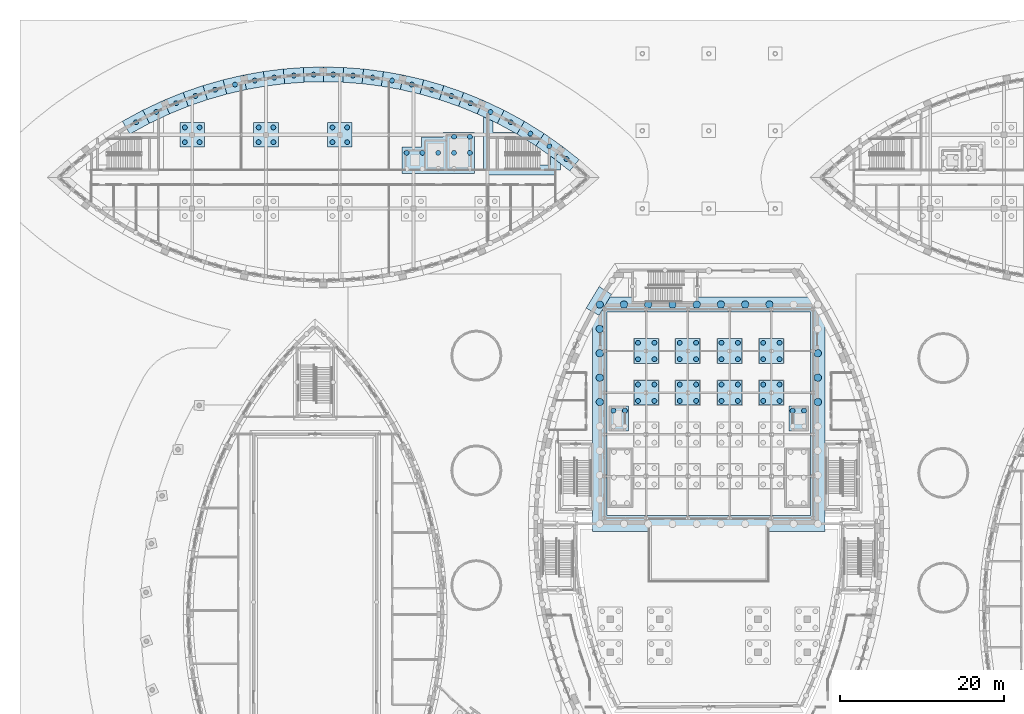
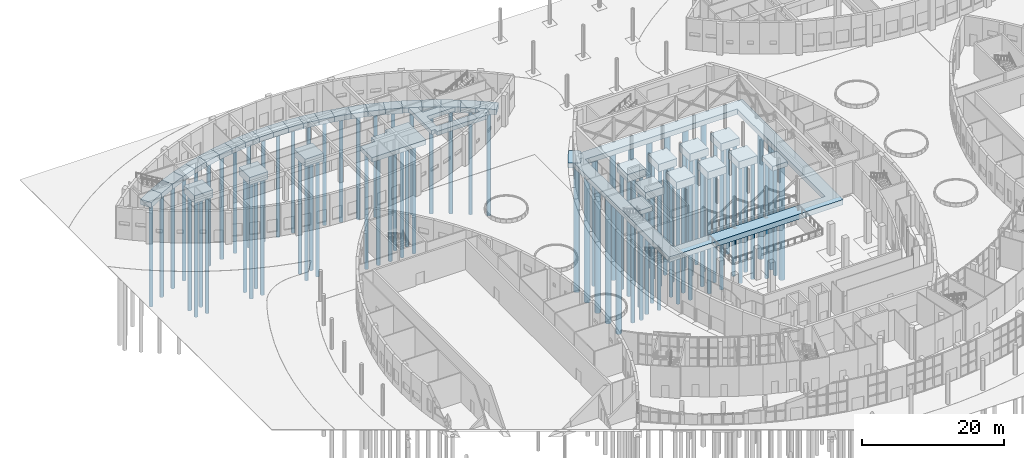
# One storey, part 7 of 82: 93 piles, 40 footings.
"""IFC4 building model written with IfcOpenShell, lengths in metres."""

from ifc_helpers import new_model, si_unit, direction, frame, origin, origin_2d, place, context, subcontext, project, spatial, polyline, rectangle, circle, outline, extrude, material, material_profile, profile_set, type_object, element, save


model = new_model("IFC4")

# Units and contexts
model_context = context("Model", 3, precision=1e-05, world=origin(), true_north=direction((0.0, 1.0)))
body_context = subcontext(model_context, "Body", "Model", "MODEL_VIEW")
ifc_project = project(units=[si_unit("LENGTHUNIT", "METRE"), si_unit("AREAUNIT", "SQUARE_METRE"), si_unit("VOLUMEUNIT", "CUBIC_METRE"), si_unit("PLANEANGLEUNIT", "RADIAN"), si_unit("MASSUNIT", "GRAM", prefix="KILO")], contexts=[model_context])

# Site, building, storey
site_placement = place(None, origin())
site = spatial("IfcSite", under=ifc_project, at=site_placement, CompositionType="ELEMENT")
building_placement = place(site_placement, origin())
building = spatial("IfcBuilding", under=site, at=building_placement, Name="Tide Square Theatres", CompositionType="ELEMENT")
storey_placement = place(building_placement, origin())
storey = spatial("IfcBuildingStorey", under=building, at=storey_placement, Name="L00", CompositionType="ELEMENT", Elevation=0.0)

# Piles
ifc_material_1 = material(Name="Concrete C30", Category="concrete")
ifc_material_profile_1 = material_profile(ifc_material_1, circle(Radius=0.300048828125, at=origin_2d()))
ifc_profile_set_1 = profile_set([ifc_material_profile_1], Name="Concrete C30")
pile_type_1 = type_object("IfcPileType", Name="Bored pile D600", PredefinedType="BORED", material=ifc_profile_set_1)
for number, where, z_axis, x_axis, name in (
    (1, (75.365478515625, 70.544921875, -1.14990234375), (0.0, 0.0, -1.0), (1.0, 0.0, 0.0), "Bored pile"),
    (2, (77.365478515625, 70.544921875, -1.14990234375), (0.0, 0.0, -1.0), (1.0, 0.0, 0.0), "Bored pile"),
    (3, (77.365478515625, 72.544921875, -1.14990234375), (0.0, 0.0, -1.0), (1.0, 0.0, 0.0), "Bored pile"),
    (4, (75.365478515625, 72.544921875, -1.14990234375), (0.0, 0.0, -1.0), (1.0, 0.0, 0.0), "Bored pile"),
    (5, (75.365478515625, 75.634521484375, -1.14990234375), (0.0, 0.0, -1.0), (1.0, 0.0, 0.0), "Bored pile"),
    (6, (77.365478515625, 75.634521484375, -1.14990234375), (0.0, 0.0, -1.0), (1.0, 0.0, 0.0), "Bored pile"),
    (7, (77.365478515625, 77.634521484375, -1.14990234375), (0.0, 0.0, -1.0), (1.0, 0.0, 0.0), "Bored pile"),
    (8, (75.365478515625, 77.634521484375, -1.14990234375), (0.0, 0.0, -1.0), (1.0, 0.0, 0.0), "Bored pile"),
    (9, (80.455078125, 70.544921875, -1.14990234375), (0.0, 0.0, -1.0), (1.0, 0.0, 0.0), "Bored pile"),
    (10, (82.455078125, 70.544921875, -1.14990234375), (0.0, 0.0, -1.0), (1.0, 0.0, 0.0), "Bored pile"),
    (11, (82.455078125, 72.544921875, -1.14990234375), (0.0, 0.0, -1.0), (1.0, 0.0, 0.0), "Bored pile"),
    (12, (80.455078125, 72.544921875, -1.14990234375), (0.0, 0.0, -1.0), (1.0, 0.0, 0.0), "Bored pile"),
    (13, (80.455078125, 75.634521484375, -1.14990234375), (0.0, 0.0, -1.0), (1.0, 0.0, 0.0), "Bored pile"),
    (14, (82.455078125, 75.634521484375, -1.14990234375), (0.0, 0.0, -1.0), (1.0, 0.0, 0.0), "Bored pile"),
    (15, (82.455078125, 77.634521484375, -1.14990234375), (0.0, 0.0, -1.0), (1.0, 0.0, 0.0), "Bored pile"),
    (16, (80.455078125, 77.634521484375, -1.14990234375), (0.0, 0.0, -1.0), (1.0, 0.0, 0.0), "Bored pile"),
    (17, (85.544921875, 70.544921875, -1.14990234375), (0.0, 0.0, -1.0), (1.0, 0.0, 0.0), "Bored pile"),
    (18, (87.544921875, 70.544921875, -1.14990234375), (0.0, 0.0, -1.0), (1.0, 0.0, 0.0), "Bored pile"),
    (19, (87.544921875, 72.544921875, -1.14990234375), (0.0, 0.0, -1.0), (1.0, 0.0, 0.0), "Bored pile"),
    (20, (85.544921875, 72.544921875, -1.14990234375), (0.0, 0.0, -1.0), (1.0, 0.0, 0.0), "Bored pile"),
    (21, (85.544921875, 75.634521484375, -1.14990234375), (0.0, 0.0, -1.0), (1.0, 0.0, 0.0), "Bored pile"),
    (22, (87.544921875, 75.634521484375, -1.14990234375), (0.0, 0.0, -1.0), (1.0, 0.0, 0.0), "Bored pile"),
    (23, (87.544921875, 77.634521484375, -1.14990234375), (0.0, 0.0, -1.0), (1.0, 0.0, 0.0), "Bored pile"),
    (24, (85.544921875, 77.634521484375, -1.14990234375), (0.0, 0.0, -1.0), (1.0, 0.0, 0.0), "Bored pile"),
    (25, (90.634521484375, 70.544921875, -1.14990234375), (0.0, 0.0, -1.0), (1.0, 0.0, 0.0), "Bored pile"),
    (26, (92.634521484375, 70.544921875, -1.14990234375), (0.0, 0.0, -1.0), (1.0, 0.0, 0.0), "Bored pile"),
    (27, (92.634521484375, 72.544921875, -1.14990234375), (0.0, 0.0, -1.0), (1.0, 0.0, 0.0), "Bored pile"),
    (28, (90.634521484375, 72.544921875, -1.14990234375), (0.0, 0.0, -1.0), (1.0, 0.0, 0.0), "Bored pile"),
    (29, (90.634521484375, 75.634521484375, -1.14990234375), (0.0, 0.0, -1.0), (1.0, 0.0, 0.0), "Bored pile"),
    (30, (92.634521484375, 75.634521484375, -1.14990234375), (0.0, 0.0, -1.0), (1.0, 0.0, 0.0), "Bored pile"),
    (31, (92.634521484375, 77.634521484375, -1.14990234375), (0.0, 0.0, -1.0), (1.0, 0.0, 0.0), "Bored pile"),
    (32, (90.634521484375, 77.634521484375, -1.14990234375), (0.0, 0.0, -1.0), (1.0, 0.0, 0.0), "Bored pile"),
    (33, (73.77587890625, 69.35009765625, -0.85009765625), (0.0, 0.0, -1.0), (1.0, 0.0, 0.0), "Fly Tower lift pit pile 11.3"),
    (34, (72.3759765625, 69.35009765625, -0.85009765625), (0.0, 0.0, -1.0), (1.0, 0.0, 0.0), "Fly Tower lift pit pile 11.4"),
    (35, (95.6240234375, 69.35009765625, -0.85009765625), (0.0, 0.0, -1.0), (1.0, 0.0, 0.0), "Fly Tower lift pit pile 12.3"),
    (36, (94.22412109375, 69.35009765625, -0.85009765625), (0.0, 0.0, -1.0), (1.0, 0.0, 0.0), "Fly Tower lift pit pile 12.4"),
):
    element("IfcPile", number, at=place(storey_placement, frame(where, z_axis=z_axis, x_axis=x_axis)), inside=storey, type_object=pile_type_1, Name=name, PredefinedType="BORED", context=body_context, shape_type="SweptSolid", body=[
        extrude(circle(Radius=0.300048828125, at=origin_2d()), origin(), (0.0, 0.0, 1.0), 20.14990234375),
    ])
for number, where, z_axis, x_axis, name in (
    (37, (66.646484375, 100.044189453125, -1.0), (0.0, 0.0, -1.0), (1.0, 0.0, 0.0), "Scenery Workshops wall pile 30"),
    (38, (64.547607421875, 101.607666015625, -1.0), (0.0, 0.0, -1.0), (1.0, 0.0, 0.0), "Scenery Workshops wall pile 31"),
    (39, (62.238525390625, 103.138916015625, -1.0), (0.0, 0.0, -1.0), (1.0, 0.0, 0.0), "Scenery Workshops wall pile 32"),
    (40, (59.844482421875, 104.533447265625, -1.0), (0.0, 0.0, -1.0), (1.0, 0.0, 0.0), "Scenery Workshops wall pile 33"),
    (41, (57.37353515625, 105.787109375, -1.0), (0.0, 0.0, -1.0), (1.0, 0.0, 0.0), "Scenery Workshops wall pile 34"),
    (42, (54.956298828125, 106.85009765625, -1.0), (0.0, 0.0, -1.0), (1.0, 0.0, 0.0), "Scenery Workshops wall pile 35"),
    (43, (52.606201171875, 107.73193359375, -1.0), (0.0, 0.0, -1.0), (1.0, 0.0, 0.0), "Scenery Workshops wall pile 36"),
    (44, (50.212890625, 108.489013671875, -1.0), (0.0, 0.0, -1.0), (1.0, 0.0, 0.0), "Scenery Workshops wall pile 37"),
    (45, (47.783203125, 109.11962890625, -1.0), (0.0, 0.0, -1.0), (1.0, 0.0, 0.0), "Scenery Workshops wall pile 38"),
    (46, (45.37548828125, 109.61376953125, -1.0), (0.0, 0.0, -1.0), (1.0, 0.0, 0.0), "Scenery Workshops wall pile 39"),
    (47, (42.997802734375, 109.9755859375, -1.0), (0.0, 0.0, -1.0), (1.0, 0.0, 0.0), "Scenery Workshops wall pile 40"),
    (48, (40.604736328125, 110.21728515625, -1.0), (0.0, 0.0, -1.0), (1.0, 0.0, 0.0), "Scenery Workshops wall pile 41"),
    (49, (38.20263671875, 110.33837890625, -1.0), (0.0, 0.0, -1.0), (1.0, 0.0, 0.0), "Scenery Workshops wall pile 42"),
    (50, (35.79736328125, 110.33837890625, -1.0), (0.0, 0.0, -1.0), (1.0, 0.0, 0.0), "Scenery Workshops wall pile 43"),
    (51, (33.395263671875, 110.21728515625, -1.0), (0.0, 0.0, -1.0), (1.0, 0.0, 0.0), "Scenery Workshops wall pile 44"),
    (52, (31.002197265625, 109.9755859375, -1.0), (0.0, 0.0, -1.0), (1.0, 0.0, 0.0), "Scenery Workshops wall pile 45"),
    (53, (28.62451171875, 109.61376953125, -1.0), (0.0, 0.0, -1.0), (1.0, 0.0, 0.0), "Scenery Workshops wall pile 46"),
    (54, (26.216796875, 109.11962890625, -1.0), (0.0, 0.0, -1.0), (1.0, 0.0, 0.0), "Scenery Workshops wall pile 47"),
    (55, (23.787109375, 108.489013671875, -1.0), (0.0, 0.0, -1.0), (1.0, 0.0, 0.0), "Scenery Workshops wall pile 48"),
    (56, (21.393798828125, 107.73193359375, -1.0), (0.0, 0.0, -1.0), (1.0, 0.0, 0.0), "Scenery Workshops wall pile 49"),
    (57, (19.043701171875, 106.85009765625, -1.0), (0.0, 0.0, -1.0), (1.0, 0.0, 0.0), "Scenery Workshops wall pile 50"),
    (58, (16.62646484375, 105.787109375, -1.0), (0.0, 0.0, -1.0), (1.0, 0.0, 0.0), "Scenery Workshops wall pile 51"),
    (59, (14.155517578125, 104.533447265625, -1.0), (0.0, 0.0, -1.0), (1.0, 0.0, 0.0), "Scenery Workshops wall pile 52"),
):
    element("IfcPile", number, at=place(storey_placement, frame(where, z_axis=z_axis, x_axis=x_axis)), inside=storey, type_object=pile_type_1, Name=name, PredefinedType="BORED", context=body_context, shape_type="SweptSolid", body=[
        extrude(circle(Radius=0.300048828125, at=origin_2d()), origin(), (0.0, 0.0, 1.0), 18.14990234375),
    ])
for number, where, z_axis, x_axis, name in (
    (60, (20.10009765625, 102.10009765625, -1.39990234375), (0.0, 0.0, -1.0), (1.0, 0.0, 0.0), "Scenery Workshops column pile 2.1"),
    (61, (21.89990234375, 102.10009765625, -1.39990234375), (0.0, 0.0, -1.0), (1.0, 0.0, 0.0), "Scenery Workshops column pile 2.2"),
    (62, (21.89990234375, 103.89990234375, -1.39990234375), (0.0, 0.0, -1.0), (1.0, 0.0, 0.0), "Scenery Workshops column pile 2.3"),
    (63, (20.10009765625, 103.89990234375, -1.39990234375), (0.0, 0.0, -1.0), (1.0, 0.0, 0.0), "Scenery Workshops column pile 2.4"),
    (64, (29.10009765625, 102.10009765625, -1.39990234375), (0.0, 0.0, -1.0), (1.0, 0.0, 0.0), "Scenery Workshops column pile 4.1"),
    (65, (30.89990234375, 102.10009765625, -1.39990234375), (0.0, 0.0, -1.0), (1.0, 0.0, 0.0), "Scenery Workshops column pile 4.2"),
    (66, (30.89990234375, 103.89990234375, -1.39990234375), (0.0, 0.0, -1.0), (1.0, 0.0, 0.0), "Scenery Workshops column pile 4.3"),
    (67, (29.10009765625, 103.89990234375, -1.39990234375), (0.0, 0.0, -1.0), (1.0, 0.0, 0.0), "Scenery Workshops column pile 4.4"),
    (68, (38.10009765625, 102.10009765625, -1.39990234375), (0.0, 0.0, -1.0), (1.0, 0.0, 0.0), "Scenery Workshops column pile 6.1"),
    (69, (39.89990234375, 102.10009765625, -1.39990234375), (0.0, 0.0, -1.0), (1.0, 0.0, 0.0), "Scenery Workshops column pile 6.2"),
    (70, (39.89990234375, 103.89990234375, -1.39990234375), (0.0, 0.0, -1.0), (1.0, 0.0, 0.0), "Scenery Workshops column pile 6.3"),
    (71, (38.10009765625, 103.89990234375, -1.39990234375), (0.0, 0.0, -1.0), (1.0, 0.0, 0.0), "Scenery Workshops column pile 6.4"),
    (72, (47.139892578125, 100.800048828125, -1.85009765625), (0.0, 0.0, -1.0), (1.0, 0.0, 0.0), "Scenery Workshops lift pit pile 1.2"),
    (73, (49.070068359375, 100.800048828125, -1.85009765625), (0.0, 0.0, -1.0), (1.0, 0.0, 0.0), "Scenery Workshops lift pit pile 1.4"),
    (74, (51.0, 100.800048828125, -1.85009765625), (0.0, 0.0, -1.0), (1.0, 0.0, 0.0), "Scenery Workshops lift pit pile 1.6"),
    (75, (52.929931640625, 100.800048828125, -1.85009765625), (0.0, 0.0, -1.0), (1.0, 0.0, 0.0), "Scenery Workshops lift pit pile 1.8"),
    (76, (52.929931640625, 102.760009765625, -1.85009765625), (0.0, 0.0, -1.0), (1.0, 0.0, 0.0), "Scenery Workshops lift pit pile 1.9"),
    (77, (54.860107421875, 100.800048828125, -1.85009765625), (0.0, 0.0, -1.0), (1.0, 0.0, 0.0), "Scenery Workshops lift pit pile 1.11"),
    (78, (54.860107421875, 102.760009765625, -1.85009765625), (0.0, 0.0, -1.0), (1.0, 0.0, 0.0), "Scenery Workshops lift pit pile 1.12"),
):
    element("IfcPile", number, at=place(storey_placement, frame(where, z_axis=z_axis, x_axis=x_axis)), inside=storey, type_object=pile_type_1, Name=name, PredefinedType="BORED", context=body_context, shape_type="SweptSolid", body=[
        extrude(circle(Radius=0.300048828125, at=origin_2d()), origin(), (0.0, 0.0, 1.0), 20.14990234375),
    ])
ifc_material_2 = material(Name="Concrete C30", Category="concrete")
ifc_material_profile_2 = material_profile(ifc_material_2, circle(Radius=0.449951171875, at=origin_2d()))
ifc_profile_set_2 = profile_set([ifc_material_profile_2], Name="Concrete C30")
pile_type_2 = type_object("IfcPileType", Name="Bored pile D900", PredefinedType="BORED", material=ifc_profile_set_2)
for number, where, z_axis, x_axis, name in (
    (79, (70.699951171875, 82.300048828125, -0.75), (0.0, 0.0, -1.0), (1.0, 0.0, 0.0), "Bored pile"),
    (80, (73.655517578125, 82.300048828125, -0.75), (0.0, 0.0, -1.0), (1.0, 0.0, 0.0), "Bored pile"),
    (81, (76.611083984375, 82.300048828125, -0.75), (0.0, 0.0, -1.0), (1.0, 0.0, 0.0), "Bored pile"),
    (82, (79.566650390625, 82.300048828125, -0.75), (0.0, 0.0, -1.0), (1.0, 0.0, 0.0), "Bored pile"),
    (83, (82.522216796875, 82.300048828125, -0.75), (0.0, 0.0, -1.0), (1.0, 0.0, 0.0), "Bored pile"),
    (84, (85.477783203125, 82.300048828125, -0.75), (0.0, 0.0, -1.0), (1.0, 0.0, 0.0), "Bored pile"),
    (85, (88.433349609375, 82.300048828125, -0.75), (0.0, 0.0, -1.0), (1.0, 0.0, 0.0), "Bored pile"),
    (86, (91.388916015625, 82.300048828125, -0.75), (0.0, 0.0, -1.0), (1.0, 0.0, 0.0), "Bored pile"),
    (87, (70.699951171875, 70.4111328125, -0.75), (0.0, 0.0, -1.0), (1.0, 0.0, 0.0), "Bored pile"),
    (88, (97.300048828125, 70.4111328125, -0.75), (0.0, 0.0, -1.0), (1.0, 0.0, 0.0), "Bored pile"),
    (89, (70.699951171875, 73.38330078125, -0.75), (0.0, 0.0, -1.0), (1.0, 0.0, 0.0), "Bored pile"),
    (90, (97.300048828125, 73.38330078125, -0.75), (0.0, 0.0, -1.0), (1.0, 0.0, 0.0), "Bored pile"),
    (91, (70.699951171875, 76.355712890625, -0.75), (0.0, 0.0, -1.0), (1.0, 0.0, 0.0), "Bored pile"),
    (92, (97.300048828125, 76.355712890625, -0.75), (0.0, 0.0, -1.0), (1.0, 0.0, 0.0), "Bored pile"),
    (93, (70.699951171875, 79.327880859375, -0.75), (0.0, 0.0, -1.0), (1.0, 0.0, 0.0), "Bored pile"),
):
    element("IfcPile", number, at=place(storey_placement, frame(where, z_axis=z_axis, x_axis=x_axis)), inside=storey, type_object=pile_type_2, Name=name, PredefinedType="BORED", context=body_context, shape_type="SweptSolid", body=[
        extrude(circle(Radius=0.449951171875, at=origin_2d()), origin(), (0.0, 0.0, 1.0), 22.14990234375),
    ])

# Footings
ifc_material_3 = material(Name="Concrete C35", Category="concrete")
footing_type_1 = type_object("IfcFootingType", Name="Pile cap 4 piles D600", PredefinedType="PILE_CAP", material=ifc_material_3)
for number, where, z_axis, x_axis, name in (
    (94, (76.365478515625, 71.544921875, -1.2998046875), (0.0, 0.0, 1.0), (1.0, 0.0, 0.0), "Fly tower column cap"),
    (95, (76.365478515625, 76.634521484375, -1.2998046875), (0.0, 0.0, 1.0), (1.0, 0.0, 0.0), "Fly tower column cap"),
    (96, (81.455078125, 71.544921875, -1.2998046875), (0.0, 0.0, 1.0), (1.0, 0.0, 0.0), "Fly tower column cap"),
    (97, (81.455078125, 76.634521484375, -1.2998046875), (0.0, 0.0, 1.0), (1.0, 0.0, 0.0), "Fly tower column cap"),
    (98, (86.544921875, 71.544921875, -1.2998046875), (0.0, 0.0, 1.0), (1.0, 0.0, 0.0), "Fly tower column cap"),
    (99, (86.544921875, 76.634521484375, -1.2998046875), (0.0, 0.0, 1.0), (1.0, 0.0, 0.0), "Fly tower column cap"),
    (100, (91.634521484375, 71.544921875, -1.2998046875), (0.0, 0.0, 1.0), (1.0, 0.0, 0.0), "Fly tower column cap"),
    (101, (91.634521484375, 76.634521484375, -1.2998046875), (0.0, 0.0, 1.0), (1.0, 0.0, 0.0), "Fly tower column cap"),
):
    element("IfcFooting", number, at=place(storey_placement, frame(where, z_axis=z_axis, x_axis=x_axis)), inside=storey, type_object=footing_type_1, Name=name, PredefinedType="PILE_CAP", context=body_context, shape_type="SweptSolid", body=[
        extrude(rectangle(XDim=3.0, YDim=3.0, at=origin_2d()), origin(), (0.0, 0.0, 1.0), 1.300048828125),
    ])
footing_1_placement = place(storey_placement, frame((0.0, 0.0, -1.0)))
element("IfcFooting", 102, at=footing_1_placement, inside=storey, type_object=footing_type_1, Name="Fly Tower lift pit slab 11", PredefinedType="PILE_CAP", context=body_context, shape_type="SweptSolid", body=[
    extrude(outline(polyline([(71.825927734375, 66.89990234375), (74.22607421875, 66.89990234375), (74.22607421875, 69.89990234375), (71.825927734375, 69.89990234375), (71.825927734375, 66.89990234375)])), origin(), (0.0, 0.0, 1.0), 0.800048828125),
])
footing_2_placement = place(storey_placement, frame((0.0, 0.0, -1.0)))
element("IfcFooting", 103, at=footing_2_placement, inside=storey, type_object=footing_type_1, Name="Fly Tower lift pit slab 12", PredefinedType="PILE_CAP", context=body_context, shape_type="SweptSolid", body=[
    extrude(outline(polyline([(93.77392578125, 66.89990234375), (96.174072265625, 66.89990234375), (96.174072265625, 69.89990234375), (93.77392578125, 69.89990234375), (93.77392578125, 66.89990234375)])), origin(), (0.0, 0.0, 1.0), 0.800048828125),
])
footing_3_placement = place(storey_placement, frame((0.0, 0.0, -1.550048828125)))
element("IfcFooting", 104, at=footing_3_placement, inside=storey, type_object=footing_type_1, Name="Scenery Workshops pile cap 2", PredefinedType="PILE_CAP", context=body_context, shape_type="SweptSolid", body=[
    extrude(outline(polyline([(19.5, 101.5), (22.5, 101.5), (22.5, 104.5), (19.5, 104.5), (19.5, 101.5)])), origin(), (0.0, 0.0, 1.0), 1.300048828125),
])
footing_4_placement = place(storey_placement, frame((0.0, 0.0, -1.550048828125)))
element("IfcFooting", 105, at=footing_4_placement, inside=storey, type_object=footing_type_1, Name="Scenery Workshops pile cap 4", PredefinedType="PILE_CAP", context=body_context, shape_type="SweptSolid", body=[
    extrude(outline(polyline([(28.5, 101.5), (31.5, 101.5), (31.5, 104.5), (28.5, 104.5), (28.5, 101.5)])), origin(), (0.0, 0.0, 1.0), 1.300048828125),
])
footing_5_placement = place(storey_placement, frame((0.0, 0.0, -1.550048828125)))
element("IfcFooting", 106, at=footing_5_placement, inside=storey, type_object=footing_type_1, Name="Scenery Workshops pile cap 6", PredefinedType="PILE_CAP", context=body_context, shape_type="SweptSolid", body=[
    extrude(outline(polyline([(37.5, 101.5), (40.5, 101.5), (40.5, 104.5), (37.5, 104.5), (37.5, 101.5)])), origin(), (0.0, 0.0, 1.0), 1.300048828125),
])
footing_6_placement = place(storey_placement, frame((0.0, 0.0, -2.0)))
element("IfcFooting", 107, at=footing_6_placement, inside=storey, type_object=footing_type_1, Name="Scenery Workshops lift pit slab 1", PredefinedType="PILE_CAP", context=body_context, shape_type="SweptSolid", body=[
    extrude(outline(polyline([(55.409912109375, 98.2900390625), (55.409912109375, 103.31005859375), (51.590087890625, 103.31005859375), (51.590087890625, 102.7099609375), (48.989990234375, 102.7099609375), (48.989990234375, 101.510009765625), (46.590087890625, 101.510009765625), (46.590087890625, 98.2900390625), (55.409912109375, 98.2900390625)])), origin(), (0.0, 0.0, 1.0), 0.800048828125),
])
ifc_material_4 = material(Name="Concrete C35", Category="concrete")
footing_type_2 = type_object("IfcFootingType", Name="Strip footing 1200 x 700", PredefinedType="STRIP_FOOTING", material=ifc_material_4)
footing_7_placement = place(storey_placement, frame((0.0, 0.0, -0.949951171875)))
element("IfcFooting", 108, at=footing_7_placement, inside=storey, type_object=footing_type_2, Name="Scenery Workshops core wall footing 2", PredefinedType="STRIP_FOOTING", context=body_context, shape_type="SweptSolid", body=[
    extrude(outline(polyline([(65.300048828125, 98.699951171875), (65.89990234375, 98.699951171875), (65.89990234375, 99.487060546875), (65.14111328125, 100.08740234375), (64.699951171875, 100.398681640625), (64.699951171875, 99.300048828125), (57.699951171875, 99.300048828125), (57.699951171875, 102.050048828125), (62.284912109375, 102.050048828125), (60.6083984375, 103.093017578125), (60.31982421875, 103.25), (57.699951171875, 103.25), (57.699951171875, 104.63818359375), (56.5, 105.203857421875), (56.5, 102.64990234375), (56.5, 98.699951171875), (57.10009765625, 98.699951171875), (57.10009765625, 98.10009765625), (65.300048828125, 98.10009765625), (65.300048828125, 98.699951171875)])), origin(), (0.0, 0.0, 1.0), 0.699951171875),
])
ifc_material_5 = material(Name="Concrete C35", Category="concrete")
footing_type_3 = type_object("IfcFootingType", Name="Strip footing 1800 x 900", PredefinedType="STRIP_FOOTING", material=ifc_material_5)
footing_8_placement = place(storey_placement, frame((0.0, 0.0, -0.89990234375)))
element("IfcFooting", 109, at=footing_8_placement, inside=storey, type_object=footing_type_3, Name="Strip footing", PredefinedType="STRIP_FOOTING", context=body_context, shape_type="SweptSolid", body=[
    extrude(outline(polyline([(70.630615234375, 84.49951171875), (69.046630859375, 81.867919921875), (70.614990234375, 80.98291015625), (72.146728515625, 83.528076171875), (70.630615234375, 84.49951171875)])), origin(), (0.0, 0.0, 1.0), 0.89990234375),
])
footing_9_placement = place(storey_placement, frame((0.0, 0.0, -0.89990234375)))
element("IfcFooting", 110, at=footing_9_placement, inside=storey, type_object=footing_type_3, Name="Stage house ring footing", PredefinedType="STRIP_FOOTING", context=body_context, shape_type="SweptSolid", body=[
    extrude(outline(polyline([(98.199951171875, 54.64990234375), (98.199951171875, 83.199951171875), (69.800048828125, 83.199951171875), (69.800048828125, 54.64990234375), (98.199951171875, 54.64990234375)]), holes=[polyline([(96.39990234375, 56.60009765625), (96.39990234375, 81.39990234375), (71.60009765625, 81.39990234375), (71.60009765625, 56.60009765625), (96.39990234375, 56.60009765625)])]), origin(), (0.0, 0.0, 1.0), 0.89990234375),
])
footing_10_placement = place(storey_placement, frame((0.0, 0.0, -1.14990234375)))
element("IfcFooting", 111, at=footing_10_placement, inside=storey, type_object=footing_type_3, Name="Scenery Workshops strip footing 30", PredefinedType="STRIP_FOOTING", context=body_context, shape_type="SweptSolid", body=[
    extrude(outline(polyline([(68.189208984375, 99.97119140625), (66.21923828125, 101.529541015625), (65.14111328125, 100.08740234375), (67.0361328125, 98.58837890625), (68.189208984375, 99.97119140625)])), origin(), (0.0, 0.0, 1.0), 0.89990234375),
])
footing_11_placement = place(storey_placement, frame((0.0, 0.0, -1.14990234375)))
element("IfcFooting", 112, at=footing_11_placement, inside=storey, type_object=footing_type_3, Name="Scenery Workshops strip footing 31", PredefinedType="STRIP_FOOTING", context=body_context, shape_type="SweptSolid", body=[
    extrude(outline(polyline([(66.21923828125, 101.529541015625), (63.912841796875, 103.1572265625), (62.917724609375, 101.656494140625), (65.14111328125, 100.08740234375), (66.21923828125, 101.529541015625)])), origin(), (0.0, 0.0, 1.0), 0.89990234375),
])
footing_12_placement = place(storey_placement, frame((0.0, 0.0, -1.14990234375)))
element("IfcFooting", 113, at=footing_12_placement, inside=storey, type_object=footing_type_3, Name="Scenery Workshops strip footing 32", PredefinedType="STRIP_FOOTING", context=body_context, shape_type="SweptSolid", body=[
    extrude(outline(polyline([(63.912841796875, 103.1572265625), (61.514892578125, 104.64892578125), (60.6083984375, 103.093017578125), (62.917724609375, 101.656494140625), (63.912841796875, 103.1572265625)])), origin(), (0.0, 0.0, 1.0), 0.89990234375),
])
footing_13_placement = place(storey_placement, frame((0.0, 0.0, -1.14990234375)))
element("IfcFooting", 114, at=footing_13_placement, inside=storey, type_object=footing_type_3, Name="Scenery Workshops strip footing 33", PredefinedType="STRIP_FOOTING", context=body_context, shape_type="SweptSolid", body=[
    extrude(outline(polyline([(61.514892578125, 104.64892578125), (59.034423828125, 105.9990234375), (58.2197265625, 104.393310546875), (60.6083984375, 103.093017578125), (61.514892578125, 104.64892578125)])), origin(), (0.0, 0.0, 1.0), 0.89990234375),
])
footing_14_placement = place(storey_placement, frame((0.0, 0.0, -1.14990234375)))
element("IfcFooting", 115, at=footing_14_placement, inside=storey, type_object=footing_type_3, Name="Scenery Workshops strip footing 34", PredefinedType="STRIP_FOOTING", context=body_context, shape_type="SweptSolid", body=[
    extrude(outline(polyline([(59.034423828125, 105.9990234375), (56.48095703125, 107.202880859375), (55.758544921875, 105.553466796875), (58.2197265625, 104.393310546875), (59.034423828125, 105.9990234375)])), origin(), (0.0, 0.0, 1.0), 0.89990234375),
])
footing_15_placement = place(storey_placement, frame((0.0, 0.0, -1.14990234375)))
element("IfcFooting", 116, at=footing_15_placement, inside=storey, type_object=footing_type_3, Name="Scenery Workshops strip footing 35", PredefinedType="STRIP_FOOTING", context=body_context, shape_type="SweptSolid", body=[
    extrude(outline(polyline([(56.48095703125, 107.202880859375), (54.109130859375, 108.164794921875), (53.4765625, 106.478759765625), (55.758544921875, 105.553466796875), (56.48095703125, 107.202880859375)])), origin(), (0.0, 0.0, 1.0), 0.89990234375),
])
footing_16_placement = place(storey_placement, frame((0.0, 0.0, -1.14990234375)))
element("IfcFooting", 117, at=footing_16_placement, inside=storey, type_object=footing_type_3, Name="Scenery Workshops strip footing 36", PredefinedType="STRIP_FOOTING", context=body_context, shape_type="SweptSolid", body=[
    extrude(outline(polyline([(54.109130859375, 108.164794921875), (51.691162109375, 109.000244140625), (51.14794921875, 107.283447265625), (53.4765625, 106.478759765625), (54.109130859375, 108.164794921875)])), origin(), (0.0, 0.0, 1.0), 0.89990234375),
])
footing_17_placement = place(storey_placement, frame((0.0, 0.0, -1.14990234375)))
element("IfcFooting", 118, at=footing_17_placement, inside=storey, type_object=footing_type_3, Name="Scenery Workshops strip footing 37", PredefinedType="STRIP_FOOTING", context=body_context, shape_type="SweptSolid", body=[
    extrude(outline(polyline([(51.691162109375, 109.000244140625), (49.232421875, 109.707763671875), (48.7802734375, 107.96484375), (51.14794921875, 107.283447265625), (51.691162109375, 109.000244140625)])), origin(), (0.0, 0.0, 1.0), 0.89990234375),
])
footing_18_placement = place(storey_placement, frame((0.0, 0.0, -1.14990234375)))
element("IfcFooting", 119, at=footing_18_placement, inside=storey, type_object=footing_type_3, Name="Scenery Workshops strip footing 38", PredefinedType="STRIP_FOOTING", context=body_context, shape_type="SweptSolid", body=[
    extrude(outline(polyline([(49.232421875, 109.707763671875), (46.740478515625, 110.284912109375), (46.37939453125, 108.52099609375), (48.7802734375, 107.96484375), (49.232421875, 109.707763671875)])), origin(), (0.0, 0.0, 1.0), 0.89990234375),
])
footing_19_placement = place(storey_placement, frame((0.0, 0.0, -1.14990234375)))
element("IfcFooting", 120, at=footing_19_placement, inside=storey, type_object=footing_type_3, Name="Scenery Workshops strip footing 39", PredefinedType="STRIP_FOOTING", context=body_context, shape_type="SweptSolid", body=[
    extrude(outline(polyline([(46.740478515625, 110.284912109375), (44.32666015625, 110.714599609375), (44.055908203125, 108.9345703125), (46.37939453125, 108.52099609375), (46.740478515625, 110.284912109375)])), origin(), (0.0, 0.0, 1.0), 0.89990234375),
])
footing_20_placement = place(storey_placement, frame((0.0, 0.0, -1.14990234375)))
element("IfcFooting", 121, at=footing_20_placement, inside=storey, type_object=footing_type_3, Name="Scenery Workshops strip footing 40", PredefinedType="STRIP_FOOTING", context=body_context, shape_type="SweptSolid", body=[
    extrude(outline(polyline([(44.32666015625, 110.714599609375), (41.894775390625, 111.0224609375), (41.7138671875, 109.23095703125), (44.055908203125, 108.9345703125), (44.32666015625, 110.714599609375)])), origin(), (0.0, 0.0, 1.0), 0.89990234375),
])
footing_21_placement = place(storey_placement, frame((0.0, 0.0, -1.14990234375)))
element("IfcFooting", 122, at=footing_21_placement, inside=storey, type_object=footing_type_3, Name="Scenery Workshops strip footing 41", PredefinedType="STRIP_FOOTING", context=body_context, shape_type="SweptSolid", body=[
    extrude(outline(polyline([(41.894775390625, 111.0224609375), (39.450439453125, 111.207275390625), (39.35986328125, 109.408935546875), (41.7138671875, 109.23095703125), (41.894775390625, 111.0224609375)])), origin(), (0.0, 0.0, 1.0), 0.89990234375),
])
footing_22_placement = place(storey_placement, frame((0.0, 0.0, -1.14990234375)))
element("IfcFooting", 123, at=footing_22_placement, inside=storey, type_object=footing_type_3, Name="Scenery Workshops strip footing 42", PredefinedType="STRIP_FOOTING", context=body_context, shape_type="SweptSolid", body=[
    extrude(outline(polyline([(39.450439453125, 111.207275390625), (37.0, 111.26904296875), (37.0, 109.468505859375), (39.35986328125, 109.408935546875), (39.450439453125, 111.207275390625)])), origin(), (0.0, 0.0, 1.0), 0.89990234375),
])
footing_23_placement = place(storey_placement, frame((0.0, 0.0, -1.14990234375)))
element("IfcFooting", 124, at=footing_23_placement, inside=storey, type_object=footing_type_3, Name="Scenery Workshops strip footing 43", PredefinedType="STRIP_FOOTING", context=body_context, shape_type="SweptSolid", body=[
    extrude(outline(polyline([(37.0, 111.26904296875), (34.549560546875, 111.207275390625), (34.64013671875, 109.408935546875), (37.0, 109.468505859375), (37.0, 111.26904296875)])), origin(), (0.0, 0.0, 1.0), 0.89990234375),
])
footing_24_placement = place(storey_placement, frame((0.0, 0.0, -1.14990234375)))
element("IfcFooting", 125, at=footing_24_placement, inside=storey, type_object=footing_type_3, Name="Scenery Workshops strip footing 44", PredefinedType="STRIP_FOOTING", context=body_context, shape_type="SweptSolid", body=[
    extrude(outline(polyline([(34.549560546875, 111.207275390625), (32.105224609375, 111.0224609375), (32.2861328125, 109.23095703125), (34.64013671875, 109.408935546875), (34.549560546875, 111.207275390625)])), origin(), (0.0, 0.0, 1.0), 0.89990234375),
])
footing_25_placement = place(storey_placement, frame((0.0, 0.0, -1.14990234375)))
element("IfcFooting", 126, at=footing_25_placement, inside=storey, type_object=footing_type_3, Name="Scenery Workshops strip footing 45", PredefinedType="STRIP_FOOTING", context=body_context, shape_type="SweptSolid", body=[
    extrude(outline(polyline([(32.105224609375, 111.0224609375), (29.67333984375, 110.714599609375), (29.944091796875, 108.9345703125), (32.2861328125, 109.23095703125), (32.105224609375, 111.0224609375)])), origin(), (0.0, 0.0, 1.0), 0.89990234375),
])
footing_26_placement = place(storey_placement, frame((0.0, 0.0, -1.14990234375)))
element("IfcFooting", 127, at=footing_26_placement, inside=storey, type_object=footing_type_3, Name="Scenery Workshops strip footing 46", PredefinedType="STRIP_FOOTING", context=body_context, shape_type="SweptSolid", body=[
    extrude(outline(polyline([(29.67333984375, 110.714599609375), (27.259521484375, 110.284912109375), (27.62060546875, 108.52099609375), (29.944091796875, 108.9345703125), (29.67333984375, 110.714599609375)])), origin(), (0.0, 0.0, 1.0), 0.89990234375),
])
footing_27_placement = place(storey_placement, frame((0.0, 0.0, -1.14990234375)))
element("IfcFooting", 128, at=footing_27_placement, inside=storey, type_object=footing_type_3, Name="Scenery Workshops strip footing 47", PredefinedType="STRIP_FOOTING", context=body_context, shape_type="SweptSolid", body=[
    extrude(outline(polyline([(27.259521484375, 110.284912109375), (24.767578125, 109.707763671875), (25.2197265625, 107.96484375), (27.62060546875, 108.52099609375), (27.259521484375, 110.284912109375)])), origin(), (0.0, 0.0, 1.0), 0.89990234375),
])
footing_28_placement = place(storey_placement, frame((0.0, 0.0, -1.14990234375)))
element("IfcFooting", 129, at=footing_28_placement, inside=storey, type_object=footing_type_3, Name="Scenery Workshops strip footing 48", PredefinedType="STRIP_FOOTING", context=body_context, shape_type="SweptSolid", body=[
    extrude(outline(polyline([(24.767578125, 109.707763671875), (22.308837890625, 109.000244140625), (22.85205078125, 107.283447265625), (25.2197265625, 107.96484375), (24.767578125, 109.707763671875)])), origin(), (0.0, 0.0, 1.0), 0.89990234375),
])
footing_29_placement = place(storey_placement, frame((0.0, 0.0, -1.14990234375)))
element("IfcFooting", 130, at=footing_29_placement, inside=storey, type_object=footing_type_3, Name="Scenery Workshops strip footing 49", PredefinedType="STRIP_FOOTING", context=body_context, shape_type="SweptSolid", body=[
    extrude(outline(polyline([(22.308837890625, 109.000244140625), (19.890869140625, 108.164794921875), (20.5234375, 106.478759765625), (22.85205078125, 107.283447265625), (22.308837890625, 109.000244140625)])), origin(), (0.0, 0.0, 1.0), 0.89990234375),
])
footing_30_placement = place(storey_placement, frame((0.0, 0.0, -1.14990234375)))
element("IfcFooting", 131, at=footing_30_placement, inside=storey, type_object=footing_type_3, Name="Scenery Workshops strip footing 50", PredefinedType="STRIP_FOOTING", context=body_context, shape_type="SweptSolid", body=[
    extrude(outline(polyline([(19.890869140625, 108.164794921875), (17.51904296875, 107.202880859375), (18.241455078125, 105.553466796875), (20.5234375, 106.478759765625), (19.890869140625, 108.164794921875)])), origin(), (0.0, 0.0, 1.0), 0.89990234375),
])
footing_31_placement = place(storey_placement, frame((0.0, 0.0, -1.14990234375)))
element("IfcFooting", 132, at=footing_31_placement, inside=storey, type_object=footing_type_3, Name="Scenery Workshops strip footing 51", PredefinedType="STRIP_FOOTING", context=body_context, shape_type="SweptSolid", body=[
    extrude(outline(polyline([(17.51904296875, 107.202880859375), (14.965576171875, 105.9990234375), (15.7802734375, 104.393310546875), (18.241455078125, 105.553466796875), (17.51904296875, 107.202880859375)])), origin(), (0.0, 0.0, 1.0), 0.89990234375),
])
footing_32_placement = place(storey_placement, frame((0.0, 0.0, -1.14990234375)))
element("IfcFooting", 133, at=footing_32_placement, inside=storey, type_object=footing_type_3, Name="Scenery Workshops strip footing 52", PredefinedType="STRIP_FOOTING", context=body_context, shape_type="SweptSolid", body=[
    extrude(outline(polyline([(14.965576171875, 105.9990234375), (12.485107421875, 104.64892578125), (13.3916015625, 103.093017578125), (15.7802734375, 104.393310546875), (14.965576171875, 105.9990234375)])), origin(), (0.0, 0.0, 1.0), 0.89990234375),
])

save(model, "model.ifc")
